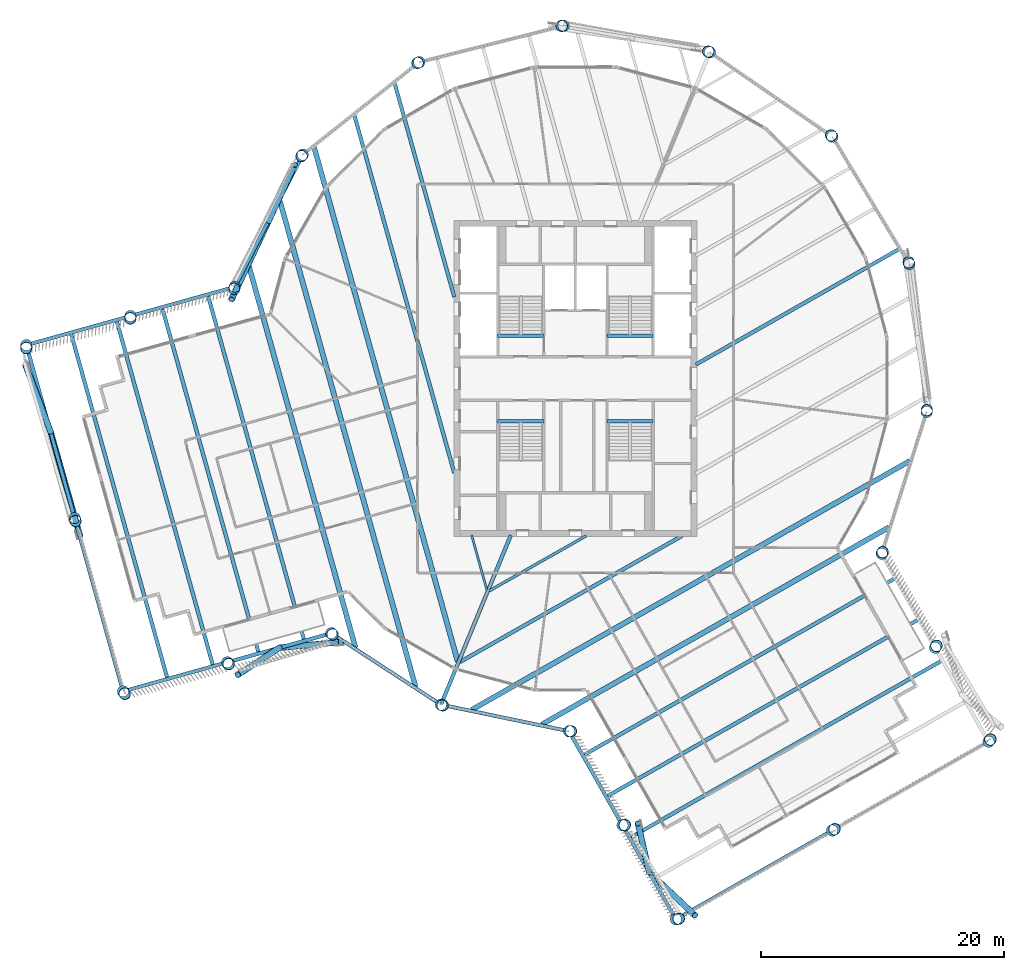
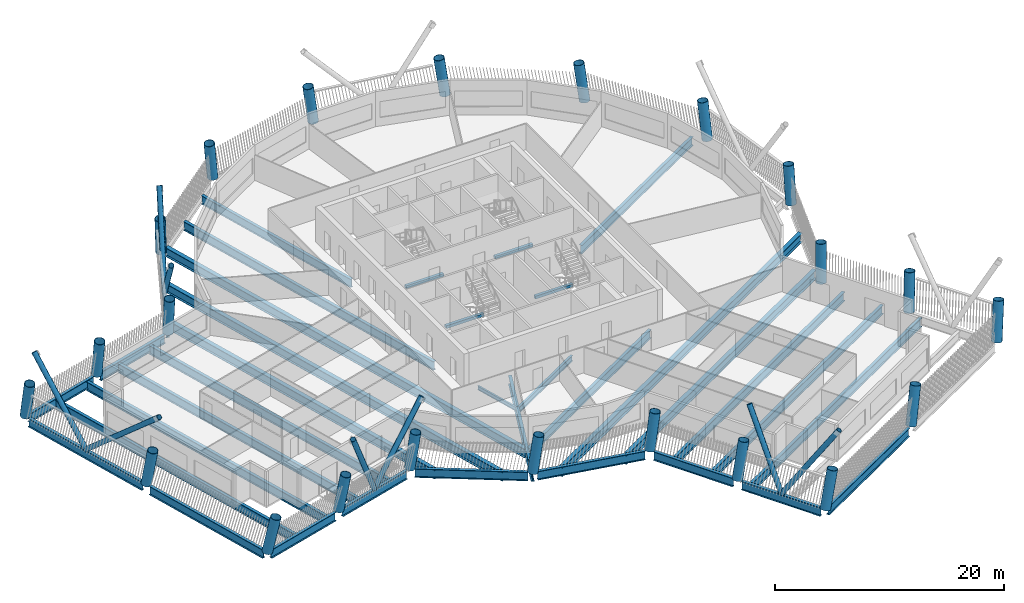
# One storey, part 1 of 21: 35 beams, 22 columns, 8 members.
"""IFC4 building model written with IfcOpenShell, lengths in metres."""

from ifc_helpers import new_model, si_unit, direction, frame, origin, origin_2d, place, context, subcontext, project, spatial, rectangle, hollow_circle, i_section, extrude, material, material_profile, profile_set, type_object, element, save


model = new_model("IFC4")

# Units and contexts
model_context = context("Model", 3, precision=1e-05, world=origin(), true_north=direction((0.0, 1.0)))
body_context = subcontext(model_context, "Body", "Model", "MODEL_VIEW")
ifc_project = project(units=[si_unit("LENGTHUNIT", "METRE"), si_unit("AREAUNIT", "SQUARE_METRE"), si_unit("VOLUMEUNIT", "CUBIC_METRE"), si_unit("PLANEANGLEUNIT", "RADIAN"), si_unit("MASSUNIT", "GRAM", prefix="KILO")], contexts=[model_context])

# Site, building, storey
site_placement = place(None, origin())
site = spatial("IfcSite", under=ifc_project, at=site_placement, CompositionType="ELEMENT")
building_placement = place(site_placement, origin())
building = spatial("IfcBuilding", under=site, at=building_placement, Name="Tarsis Ring Headquarters", CompositionType="ELEMENT")
storey_placement = place(building_placement, frame((0.0, 0.0, 347.0)))
storey = spatial("IfcBuildingStorey", under=building, at=storey_placement, Name="L82", CompositionType="ELEMENT", Elevation=347.0)

# Columns
ifc_material_1 = material(Name="Structural steel S355", Category="steel")
ifc_material_profile_1 = material_profile(ifc_material_1, hollow_circle(Radius=0.482666015625, WallThickness=0.0400390625, at=origin_2d()), Name="CHS 965x40")
ifc_profile_set_1 = profile_set([ifc_material_profile_1], Name="Structural steel S355")
column_type = type_object("IfcColumnType", Name="XC Exo column CHS 965x40", PredefinedType="COLUMN", material=ifc_profile_set_1)
for number, where, z_axis, x_axis, name in (
    (1, (-11.0693359375, -26.856689453125, 0.001220703125), (0.124330518781, -0.049968081687, 0.990981893332), (0.372907688572, 0.927868447466, 0.0), "Exo column XC7 F1"),
    (2, (-0.52197265625, -29.043701171875, 0.001220703125), (0.133952391223, -0.001241449409, 0.990986990676), (0.009267442598, 0.999957056332, 0.0), "Exo column XC7 AK"),
):
    element("IfcColumn", number, at=place(storey_placement, frame(where, z_axis=z_axis, x_axis=x_axis)), inside=storey, type_object=column_type, Name=name, PredefinedType="COLUMN", context=body_context, shape_type="SweptSolid", body=[
        extrude(hollow_circle(Radius=0.482666015625, WallThickness=0.0400390625, at=origin_2d()), origin(), (0.0, 0.0, 1.0), 3.93310546875),
    ])
column_1_placement = place(storey_placement, frame((3.875244140625, -36.7841796875, 0.001220703125), z_axis=(0.16853151015, 0.019260744017, 0.985508068879), x_axis=(-0.113546591161, 0.993532672656, 0.0)))
element("IfcColumn", 3, at=column_1_placement, inside=storey, type_object=column_type, Name="Exo column XC7 AI1", PredefinedType="COLUMN", context=body_context, shape_type="SweptSolid", body=[
    extrude(hollow_circle(Radius=0.482666015625, WallThickness=0.0400390625, at=origin_2d()), origin(), (0.0, 0.0, 1.0), 3.954833984375),
])
column_2_placement = place(storey_placement, frame((8.2724609375, -44.524658203125, 0.00146484375), z_axis=(0.202418787158, 0.039539708576, 0.978500508968), x_axis=(-0.191712880044, 0.981451054116, 0.0)))
element("IfcColumn", 4, at=column_2_placement, inside=storey, type_object=column_type, Name="Exo column XC7 AT1", PredefinedType="COLUMN", context=body_context, shape_type="SweptSolid", body=[
    extrude(hollow_circle(Radius=0.482666015625, WallThickness=0.0400390625, at=origin_2d()), origin(), (0.0, 0.0, 1.0), 3.982666015625),
])
column_3_placement = place(storey_placement, frame((21.140869140625, -37.21435546875, 0.00146484375), z_axis=(0.16902427018, 0.098059881937, 0.980721701424), x_axis=(-0.501816902032, 0.864973870608, 0.0)))
element("IfcColumn", 5, at=column_3_placement, inside=storey, type_object=column_type, Name="Exo column XC7 AT2", PredefinedType="COLUMN", context=body_context, shape_type="SweptSolid", body=[
    extrude(hollow_circle(Radius=0.482666015625, WallThickness=0.0400390625, at=origin_2d()), origin(), (0.0, 0.0, 1.0), 3.9736328125),
])
column_4_placement = place(storey_placement, frame((34.009521484375, -29.90380859375, 0.00146484375), z_axis=(0.134741725116, 0.156136111861, 0.978502009239), x_axis=(-0.757070243201, 0.653333488243, 0.0)))
element("IfcColumn", 6, at=column_4_placement, inside=storey, type_object=column_type, Name="Exo column XC7 AT3", PredefinedType="COLUMN", context=body_context, shape_type="SweptSolid", body=[
    extrude(hollow_circle(Radius=0.482666015625, WallThickness=0.0400390625, at=origin_2d()), origin(), (0.0, 0.0, 1.0), 3.982666015625),
])
column_5_placement = place(storey_placement, frame((29.6123046875, -22.163330078125, 0.001220703125), z_axis=(0.100378135595, 0.136738973151, 0.985508337416), x_axis=(-0.80611564483, 0.591758030922, 0.0)))
element("IfcColumn", 7, at=column_5_placement, inside=storey, type_object=column_type, Name="Exo column XC7 AO1", PredefinedType="COLUMN", context=body_context, shape_type="SweptSolid", body=[
    extrude(hollow_circle(Radius=0.482666015625, WallThickness=0.0400390625, at=origin_2d()), origin(), (0.0, 0.0, 1.0), 3.954833984375),
])
for number, where, z_axis, x_axis, name in (
    (8, (25.21484375, -14.423095703125, 0.001220703125), (0.065485810773, 0.116943381513, 0.990977221791), (-0.872513913094, 0.488589266621, 0.0), "Exo column XC7 AJ"),
    (9, (28.918212890625, -2.747314453125, 0.001220703125), (0.011483421169, 0.133455975748, 0.990988210614), (-0.996318430115, 0.085729725382, 0.0), "Exo column XC7 R1"),
    (10, (27.479736328125, 9.416748046875, 0.001220703125), (-0.044568086585, 0.126317627019, 0.990988164794), (-0.943024549107, -0.332723157867, 0.0), "Exo column XC7 R2"),
    (11, (21.1552734375, 19.906494140625, 0.001220703125), (-0.092674368165, 0.096709086136, 0.990988806266), (-0.722007496504, -0.691885232529, 0.0), "Exo column XC7 R3"),
    (12, (11.0693359375, 26.856689453125, 0.001220703125), (-0.124330518781, 0.049968081687, 0.990981893332), (-0.372907688572, -0.927868447466, 0.0), "Exo column XC7 R4"),
    (13, (-0.98486328125, 29.03173828125, 0.001220703125), (-0.133828391693, -0.005710673486, 0.990988067428), (0.042632817415, -0.999090808125, 0.0), "Exo column XC7 R5"),
    (14, (-12.86376953125, 26.044921875, 0.001220703125), (-0.119613029763, -0.06039620029, 0.990981847514), (0.45073074117, -0.892659957075, 0.0), "Exo column XC7 R6"),
    (15, (-22.455810546875, 18.427001953125, 0.001220703125), (-0.084045847626, -0.104343478478, 0.990983720349), (0.778785343111, -0.62729051432, 0.0), "Exo column XC7 R7"),
    (16, (-28.0546875, 7.532958984375, 0.001220703125), (-0.033580985454, -0.12973060924, 0.990980467235), (0.968092683033, -0.250592412211, 0.0), "Exo column XC7 BJ"),
):
    element("IfcColumn", number, at=place(storey_placement, frame(where, z_axis=z_axis, x_axis=x_axis)), inside=storey, type_object=column_type, Name=name, PredefinedType="COLUMN", context=body_context, shape_type="SweptSolid", body=[
        extrude(hollow_circle(Radius=0.482666015625, WallThickness=0.0400390625, at=origin_2d()), origin(), (0.0, 0.0, 1.0), 3.93310546875),
    ])
column_6_placement = place(storey_placement, frame((-36.629150390625, 5.138916015625, 0.001220703125), z_axis=(-0.022038617099, -0.16822193724, 0.985502754531), x_axis=(0.99152720989, -0.129899161075, 0.0)))
element("IfcColumn", 17, at=column_6_placement, inside=storey, type_object=column_type, Name="Exo column XC7 BO1", PredefinedType="COLUMN", context=body_context, shape_type="SweptSolid", body=[
    extrude(hollow_circle(Radius=0.482666015625, WallThickness=0.0400390625, at=origin_2d()), origin(), (0.0, 0.0, 1.0), 3.954833984375),
])
column_7_placement = place(storey_placement, frame((-45.203369140625, 2.74462890625, 0.00146484375), z_axis=(-0.010666647731, -0.205915343273, 0.978511672915), x_axis=(0.998661015527, -0.051731770379, 0.0)))
element("IfcColumn", 18, at=column_7_placement, inside=storey, type_object=column_type, Name="Exo column XC7 BT3", PredefinedType="COLUMN", context=body_context, shape_type="SweptSolid", body=[
    extrude(hollow_circle(Radius=0.482666015625, WallThickness=0.0400390625, at=origin_2d()), origin(), (0.0, 0.0, 1.0), 3.982666015625),
])
column_8_placement = place(storey_placement, frame((-41.223388671875, -11.510009765625, 0.00146484375), z_axis=(0.054252684728, -0.18770322972, 0.980726334791), x_axis=(0.960676909032, 0.277668645066, 0.0)))
element("IfcColumn", 19, at=column_8_placement, inside=storey, type_object=column_type, Name="Exo column XC7 BT2", PredefinedType="COLUMN", context=body_context, shape_type="SweptSolid", body=[
    extrude(hollow_circle(Radius=0.482666015625, WallThickness=0.0400390625, at=origin_2d()), origin(), (0.0, 0.0, 1.0), 3.9736328125),
])
column_9_placement = place(storey_placement, frame((-37.2431640625, -25.764892578125, 0.00146484375), z_axis=(0.118864893143, -0.168519644791, 0.978505118279), x_axis=(0.817173766493, 0.576391390771, 0.0)))
element("IfcColumn", 20, at=column_9_placement, inside=storey, type_object=column_type, Name="Exo column XC7 BT1", PredefinedType="COLUMN", context=body_context, shape_type="SweptSolid", body=[
    extrude(hollow_circle(Radius=0.482666015625, WallThickness=0.0400390625, at=origin_2d()), origin(), (0.0, 0.0, 1.0), 3.982666015625),
])
column_10_placement = place(storey_placement, frame((-28.6689453125, -23.370849609375, 0.001220703125), z_axis=(0.10840294564, -0.130503318385, 0.985503772325), x_axis=(0.769234397145, 0.638966698858, 0.0)))
element("IfcColumn", 21, at=column_10_placement, inside=storey, type_object=column_type, Name="Exo column XC7 BI1", PredefinedType="COLUMN", context=body_context, shape_type="SweptSolid", body=[
    extrude(hollow_circle(Radius=0.482666015625, WallThickness=0.0400390625, at=origin_2d()), origin(), (0.0, 0.0, 1.0), 3.954833984375),
])
column_11_placement = place(storey_placement, frame((-20.0947265625, -20.976806640625, 0.001220703125), z_axis=(0.097639723452, -0.091742855221, 0.990984224355), x_axis=(0.684757495338, 0.728771001466, 0.0)))
element("IfcColumn", 22, at=column_11_placement, inside=storey, type_object=column_type, Name="Exo column XC7 BK", PredefinedType="COLUMN", context=body_context, shape_type="SweptSolid", body=[
    extrude(hollow_circle(Radius=0.482666015625, WallThickness=0.0400390625, at=origin_2d()), origin(), (0.0, 0.0, 1.0), 3.93310546875),
])

# Beams
ifc_material_profile_2 = material_profile(ifc_material_1, i_section(OverallWidth=0.177734375, OverallDepth=0.406494140625, WebThickness=0.0078125, FlangeThickness=0.0126953125, at=origin_2d()), Name="W16x40")
ifc_profile_set_2 = profile_set([ifc_material_profile_2], Name="Structural steel S355")
beam_type_1 = type_object("IfcBeamType", Name="FB Floor beam W16x40", PredefinedType="JOIST", material=ifc_profile_set_2)
beam_1_placement = place(storey_placement, frame((-8.544677734375, -12.903564453125, -0.36328125), z_axis=(0.268896613501, -0.963169046039, 0.0), x_axis=(0.963169046039, 0.268896613501, 0.0)))
element("IfcBeam", 23, at=beam_1_placement, inside=storey, type_object=beam_type_1, Name="Floor beam FB1", PredefinedType="JOIST", context=body_context, shape_type="SweptSolid", body=[
    extrude(i_section(OverallWidth=0.177734375, OverallDepth=0.406494140625, WebThickness=0.0078125, FlangeThickness=0.0126953125, at=origin_2d()), origin(), (0.0, 0.0, 1.0), 4.693115234375),
])
ifc_material_profile_3 = material_profile(ifc_material_1, i_section(OverallWidth=0.228271484375, OverallDepth=0.607177734375, WebThickness=0.01123046875, FlangeThickness=0.017333984375, at=origin_2d()), Name="W24x76")
ifc_profile_set_3 = profile_set([ifc_material_profile_3], Name="Structural steel S355")
beam_type_2 = type_object("IfcBeamType", Name="FB Floor beam W24x76", PredefinedType="JOIST", material=ifc_profile_set_3)
beam_2_placement = place(storey_placement, frame((-7.10986328125, -17.4951171875, -0.463623046875), z_axis=(0.869497741292, 0.493936916911, 0.0), x_axis=(-0.493936916911, 0.869497741292, 0.0)))
element("IfcBeam", 24, at=beam_2_placement, inside=storey, type_object=beam_type_2, Name="Floor beam FB4", PredefinedType="JOIST", context=body_context, shape_type="SweptSolid", body=[
    extrude(i_section(OverallWidth=0.228271484375, OverallDepth=0.607177734375, WebThickness=0.01123046875, FlangeThickness=0.017333984375, at=origin_2d()), origin(), (0.0, 0.0, 1.0), 9.200439453125),
])
ifc_material_profile_4 = material_profile(ifc_material_1, i_section(OverallWidth=0.3046875, OverallDepth=0.904296875, WebThickness=0.01513671875, FlangeThickness=0.02001953125, at=origin_2d()), Name="W36x135")
ifc_profile_set_4 = profile_set([ifc_material_profile_4], Name="Structural steel S355")
beam_type_3 = type_object("IfcBeamType", Name="FB Floor beam W36x135", PredefinedType="JOIST", material=ifc_profile_set_4)
beam_3_placement = place(storey_placement, frame((9.9130859375, 1.14599609375, -0.612060546875), z_axis=(0.869490450146, 0.493949751599, 0.0), x_axis=(-0.493949751599, 0.869490450146, 0.0)))
element("IfcBeam", 25, at=beam_3_placement, inside=storey, type_object=beam_type_3, Name="Floor beam FB8", PredefinedType="JOIST", context=body_context, shape_type="SweptSolid", body=[
    extrude(i_section(OverallWidth=0.3046875, OverallDepth=0.904296875, WebThickness=0.01513671875, FlangeThickness=0.02001953125, at=origin_2d()), origin(), (0.0, 0.0, 1.0), 19.265869140625),
])
beam_4_placement = place(storey_placement, frame((-9.52392578125, -23.351806640625, -0.612060546875), z_axis=(0.869495375065, 0.493941082257, 0.0), x_axis=(-0.493941082257, 0.869495375065, 0.0)))
element("IfcBeam", 26, at=beam_4_placement, inside=storey, type_object=beam_type_3, Name="Floor beam FB8", PredefinedType="JOIST", context=body_context, shape_type="SweptSolid", body=[
    extrude(i_section(OverallWidth=0.3046875, OverallDepth=0.904296875, WebThickness=0.01513671875, FlangeThickness=0.02001953125, at=origin_2d()), origin(), (0.0, 0.0, 1.0), 21.057373046875),
])
beam_5_placement = place(storey_placement, frame((-14.89697265625, 24.35009765625, -0.612060546875), z_axis=(0.268918643255, -0.963162895522, 0.0), x_axis=(0.963162895522, 0.268918643255, 0.0)))
element("IfcBeam", 27, at=beam_5_placement, inside=storey, type_object=beam_type_3, Name="Floor beam FB8", PredefinedType="JOIST", context=body_context, shape_type="SweptSolid", body=[
    extrude(i_section(OverallWidth=0.3046875, OverallDepth=0.904296875, WebThickness=0.01513671875, FlangeThickness=0.02001953125, at=origin_2d()), origin(), (0.0, 0.0, 1.0), 18.309814453125),
])
ifc_material_profile_5 = material_profile(ifc_material_1, i_section(OverallWidth=0.309814453125, OverallDepth=0.949951171875, WebThickness=0.0244140625, FlangeThickness=0.0439453125, at=origin_2d()), Name="W36x256")
ifc_profile_set_5 = profile_set([ifc_material_profile_5], Name="Structural steel S355")
beam_type_4 = type_object("IfcBeamType", Name="FB Floor beam W36x256", PredefinedType="JOIST", material=ifc_profile_set_5)
beam_6_placement = place(storey_placement, frame((0.663818359375, -31.0205078125, -0.635009765625), z_axis=(0.869495669198, 0.493940564488, 0.0), x_axis=(-0.493940564488, 0.869495669198, 0.0)))
element("IfcBeam", 28, at=beam_6_placement, inside=storey, type_object=beam_type_4, Name="Floor beam FB11", PredefinedType="JOIST", context=body_context, shape_type="SweptSolid", body=[
    extrude(i_section(OverallWidth=0.309814453125, OverallDepth=0.949951171875, WebThickness=0.0244140625, FlangeThickness=0.0439453125, at=origin_2d()), origin(), (0.0, 0.0, 1.0), 29.490234375),
])
beam_7_placement = place(storey_placement, frame((2.59033203125, -34.411376953125, -0.635009765625), z_axis=(0.86949364936, 0.49394412004, 0.0), x_axis=(-0.49394412004, 0.86949364936, 0.0)))
element("IfcBeam", 29, at=beam_7_placement, inside=storey, type_object=beam_type_4, Name="Floor beam FB11", PredefinedType="JOIST", context=body_context, shape_type="SweptSolid", body=[
    extrude(i_section(OverallWidth=0.309814453125, OverallDepth=0.949951171875, WebThickness=0.0244140625, FlangeThickness=0.0439453125, at=origin_2d()), origin(), (0.0, 0.0, 1.0), 29.489990234375),
])
beam_8_placement = place(storey_placement, frame((4.5166015625, -37.802490234375, -0.635009765625), z_axis=(0.869495669198, 0.493940564488, 0.0), x_axis=(-0.493940564488, 0.869495669198, 0.0)))
element("IfcBeam", 30, at=beam_8_placement, inside=storey, type_object=beam_type_4, Name="Floor beam FB11", PredefinedType="JOIST", context=body_context, shape_type="SweptSolid", body=[
    extrude(i_section(OverallWidth=0.309814453125, OverallDepth=0.949951171875, WebThickness=0.0244140625, FlangeThickness=0.0439453125, at=origin_2d()), origin(), (0.0, 0.0, 1.0), 29.490234375),
])
beam_9_placement = place(storey_placement, frame((-18.211181640625, 21.7177734375, -0.635009765625), z_axis=(0.268917437762, -0.963163232099, 0.0), x_axis=(0.963163232099, 0.268917437762, 0.0)))
element("IfcBeam", 31, at=beam_9_placement, inside=storey, type_object=beam_type_4, Name="Floor beam FB11", PredefinedType="JOIST", context=body_context, shape_type="SweptSolid", body=[
    extrude(i_section(OverallWidth=0.309814453125, OverallDepth=0.949951171875, WebThickness=0.0244140625, FlangeThickness=0.0439453125, at=origin_2d()), origin(), (0.0, 0.0, 1.0), 30.634033203125),
])
for number, where, z_axis, x_axis, name in (
    (32, (-30.259521484375, 6.8603515625, -0.635009765625), (0.268917746539, -0.963163145888, 0.0), (0.963163145888, 0.268917746539, 0.0), "Floor beam FB11"),
    (33, (-34.015869140625, 5.8115234375, -0.635009765625), (0.268917746539, -0.963163145888, 0.0), (0.963163145888, 0.268917746539, 0.0), "Floor beam FB11"),
):
    element("IfcBeam", number, at=place(storey_placement, frame(where, z_axis=z_axis, x_axis=x_axis)), inside=storey, type_object=beam_type_4, Name=name, PredefinedType="JOIST", context=body_context, shape_type="SweptSolid", body=[
        extrude(i_section(OverallWidth=0.309814453125, OverallDepth=0.949951171875, WebThickness=0.0244140625, FlangeThickness=0.0439453125, at=origin_2d()), origin(), (0.0, 0.0, 1.0), 29.490234375),
    ])
beam_10_placement = place(storey_placement, frame((-37.772216796875, 4.7626953125, -0.635009765625), z_axis=(0.268919890841, -0.96316254719, 0.0), x_axis=(0.96316254719, 0.268919890841, 0.0)))
element("IfcBeam", 34, at=beam_10_placement, inside=storey, type_object=beam_type_4, Name="Floor beam FB11", PredefinedType="JOIST", context=body_context, shape_type="SweptSolid", body=[
    extrude(i_section(OverallWidth=0.309814453125, OverallDepth=0.949951171875, WebThickness=0.0244140625, FlangeThickness=0.0439453125, at=origin_2d()), origin(), (0.0, 0.0, 1.0), 29.489990234375),
])
beam_11_placement = place(storey_placement, frame((-41.528564453125, 3.714111328125, -0.635009765625), z_axis=(0.268917746539, -0.963163145888, 0.0), x_axis=(0.963163145888, 0.268917746539, 0.0)))
element("IfcBeam", 35, at=beam_11_placement, inside=storey, type_object=beam_type_4, Name="Floor beam FB11", PredefinedType="JOIST", context=body_context, shape_type="SweptSolid", body=[
    extrude(i_section(OverallWidth=0.309814453125, OverallDepth=0.949951171875, WebThickness=0.0244140625, FlangeThickness=0.0439453125, at=origin_2d()), origin(), (0.0, 0.0, 1.0), 29.490234375),
])
beam_type_5 = type_object("IfcBeamType", Name="FB Floor beam W36x256 spine", PredefinedType="BEAM", material=ifc_profile_set_5)
beam_12_placement = place(storey_placement, frame((-5.320068359375, -12.907470703125, -0.635009765625), z_axis=(-0.3810716719, -0.924545499624, 0.0), x_axis=(0.924545499624, -0.3810716719, 0.0)))
element("IfcBeam", 36, at=beam_12_placement, inside=storey, type_object=beam_type_5, Name="Floor beam SB11", PredefinedType="BEAM", context=body_context, shape_type="SweptSolid", body=[
    extrude(i_section(OverallWidth=0.309814453125, OverallDepth=0.949951171875, WebThickness=0.0244140625, FlangeThickness=0.0439453125, at=origin_2d()), origin(), (0.0, 0.0, 1.0), 15.030029296875),
])
ifc_material_profile_6 = material_profile(ifc_material_1, i_section(OverallWidth=0.42431640625, OverallDepth=0.947509765625, WebThickness=0.02392578125, FlangeThickness=0.042724609375, at=origin_2d()), Name="W36x302")
ifc_profile_set_6 = profile_set([ifc_material_profile_6], Name="Structural steel S355")
beam_type_6 = type_object("IfcBeamType", Name="FB Floor beam W36x302", PredefinedType="JOIST", material=ifc_profile_set_6)
beam_13_placement = place(storey_placement, frame((-8.5556640625, -27.287109375, -0.6337890625), z_axis=(0.86949443571, 0.49394273582, 0.0), x_axis=(-0.49394273582, 0.86949443571, 0.0)))
element("IfcBeam", 37, at=beam_13_placement, inside=storey, type_object=beam_type_6, Name="Floor beam FB12", PredefinedType="JOIST", context=body_context, shape_type="SweptSolid", body=[
    extrude(i_section(OverallWidth=0.42431640625, OverallDepth=0.947509765625, WebThickness=0.02392578125, FlangeThickness=0.042724609375, at=origin_2d()), origin(), (0.0, 0.0, 1.0), 41.5234375),
])
beam_14_placement = place(storey_placement, frame((-2.771484375, -28.486572265625, -0.6337890625), z_axis=(0.869494831423, 0.49394203924, 0.0), x_axis=(-0.49394203924, 0.869494831423, 0.0)))
element("IfcBeam", 38, at=beam_14_placement, inside=storey, type_object=beam_type_6, Name="Floor beam FB12", PredefinedType="JOIST", context=body_context, shape_type="SweptSolid", body=[
    extrude(i_section(OverallWidth=0.42431640625, OverallDepth=0.947509765625, WebThickness=0.02392578125, FlangeThickness=0.042724609375, at=origin_2d()), origin(), (0.0, 0.0, 1.0), 32.875244140625),
])
beam_15_placement = place(storey_placement, frame((-21.525390625, 19.085693359375, -0.6337890625), z_axis=(0.268919795024, -0.963162573943, 0.0), x_axis=(0.963162573943, 0.268919795024, 0.0)))
element("IfcBeam", 39, at=beam_15_placement, inside=storey, type_object=beam_type_6, Name="Floor beam FB12", PredefinedType="JOIST", context=body_context, shape_type="SweptSolid", body=[
    extrude(i_section(OverallWidth=0.42431640625, OverallDepth=0.947509765625, WebThickness=0.02392578125, FlangeThickness=0.042724609375, at=origin_2d()), origin(), (0.0, 0.0, 1.0), 43.986572265625),
])
beam_16_placement = place(storey_placement, frame((-24.322998046875, 14.603271484375, -0.6337890625), z_axis=(0.268918462334, -0.963162946035, 0.0), x_axis=(0.963162946035, 0.268918462334, 0.0)))
element("IfcBeam", 40, at=beam_16_placement, inside=storey, type_object=beam_type_6, Name="Floor beam FB12", PredefinedType="JOIST", context=body_context, shape_type="SweptSolid", body=[
    extrude(i_section(OverallWidth=0.42431640625, OverallDepth=0.947509765625, WebThickness=0.02392578125, FlangeThickness=0.042724609375, at=origin_2d()), origin(), (0.0, 0.0, 1.0), 41.523681640625),
])
beam_17_placement = place(storey_placement, frame((-26.947021484375, 9.498291015625, -0.6337890625), z_axis=(0.268926344256, -0.963160745341, 0.0), x_axis=(0.963160745341, 0.268926344256, 0.0)))
element("IfcBeam", 41, at=beam_17_placement, inside=storey, type_object=beam_type_6, Name="Floor beam FB12", PredefinedType="JOIST", context=body_context, shape_type="SweptSolid", body=[
    extrude(i_section(OverallWidth=0.42431640625, OverallDepth=0.947509765625, WebThickness=0.02392578125, FlangeThickness=0.042724609375, at=origin_2d()), origin(), (0.0, 0.0, 1.0), 32.87548828125),
])
ifc_material_2 = material(Name="Concrete C40/50", Category="concrete")
ifc_material_profile_7 = material_profile(ifc_material_2, rectangle(XDim=0.300048828125, YDim=0.300048828125, at=origin_2d()), Name="Stair head beam 300x300 C40/50")
ifc_profile_set_7 = profile_set([ifc_material_profile_7], Name="Concrete C40/50")
beam_type_7 = type_object("IfcBeamType", Name="Stair head beam 300x300 C40/50", PredefinedType="BEAM", material=ifc_profile_set_7)
for number, where, z_axis, x_axis, name in (
    (42, (-6.39990234375, 3.510009765625, -0.31005859375), (1.0, 0.0, 0.0), (0.0, 1.0, 0.0), "Stair head beam L82 Firefighting stair"),
    (43, (2.60009765625, 3.510009765625, -0.31005859375), (1.0, 0.0, 0.0), (0.0, 1.0, 0.0), "Stair head beam L82 Exit stair B"),
    (44, (-6.39990234375, -3.510009765625, -0.31005859375), (1.0, 0.0, 0.0), (0.0, 1.0, 0.0), "Stair head beam L82 Exit stair C"),
    (45, (2.60009765625, -3.510009765625, -0.31005859375), (1.0, 0.0, 0.0), (0.0, 1.0, 0.0), "Stair head beam L82 Exit stair D"),
):
    element("IfcBeam", number, at=place(storey_placement, frame(where, z_axis=z_axis, x_axis=x_axis)), inside=storey, type_object=beam_type_7, Name=name, PredefinedType="BEAM", context=body_context, shape_type="SweptSolid", body=[
        extrude(rectangle(XDim=0.300048828125, YDim=0.300048828125, at=origin_2d()), origin(), (0.0, 0.0, 1.0), 3.7998046875),
    ])

# Members
ifc_material_profile_8 = material_profile(ifc_material_1, hollow_circle(Radius=0.25390625, WallThickness=0.02001953125, at=origin_2d()), Name="CHS 508x20")
ifc_profile_set_8 = profile_set([ifc_material_profile_8], Name="Structural steel S355")
member_type = type_object("IfcMemberType", Name="XD X brace CHS 508x20", PredefinedType="BRACE", material=ifc_profile_set_8)
member_1_placement = place(storey_placement, frame((6.073486328125, -40.654541015625, 0.0), z_axis=(0.409359343415, -0.384989562391, 0.827168643511), x_axis=(0.685091168779, 0.728457336061, 0.0)))
element("IfcMember", 46, at=member_1_placement, inside=storey, type_object=member_type, Name="X brace XD2", PredefinedType="BRACE", context=body_context, shape_type="SweptSolid", body=[
    extrude(hollow_circle(Radius=0.25390625, WallThickness=0.02001953125, at=origin_2d()), origin(), (0.0, 0.0, 1.0), 9.216796875),
])
member_2_placement = place(storey_placement, frame((6.073486328125, -40.654541015625, 0.0), z_axis=(-0.107869405702, 0.471549935155, 0.875217030209), x_axis=(-0.974819619826, -0.222994862724, 0.0)))
element("IfcMember", 47, at=member_2_placement, inside=storey, type_object=member_type, Name="X brace XD2", PredefinedType="BRACE", context=body_context, shape_type="SweptSolid", body=[
    extrude(hollow_circle(Radius=0.25390625, WallThickness=0.02001953125, at=origin_2d()), origin(), (0.0, 0.0, 1.0), 8.541748046875),
])
member_3_placement = place(storey_placement, frame((-25.255126953125, 12.980224609375, 0.0), z_axis=(-0.288569816694, -0.611299324741, 0.736912882547), x_axis=(0.904305363365, -0.426886178963, 0.0)))
element("IfcMember", 48, at=member_3_placement, inside=storey, type_object=member_type, Name="X brace XD2", PredefinedType="BRACE", context=body_context, shape_type="SweptSolid", body=[
    extrude(hollow_circle(Radius=0.25390625, WallThickness=0.02001953125, at=origin_2d()), origin(), (0.0, 0.0, 1.0), 10.584716796875),
])
member_4_placement = place(storey_placement, frame((-25.255126953125, 12.980224609375, 0.0), z_axis=(0.230304424032, 0.495909264447, 0.837277656281), x_axis=(-0.906966465467, 0.421202837738, 0.0)))
element("IfcMember", 49, at=member_4_placement, inside=storey, type_object=member_type, Name="X brace XD2", PredefinedType="BRACE", context=body_context, shape_type="SweptSolid", body=[
    extrude(hollow_circle(Radius=0.25390625, WallThickness=0.02001953125, at=origin_2d()), origin(), (0.0, 0.0, 1.0), 9.31591796875),
])
member_5_placement = place(storey_placement, frame((-43.21337890625, -4.38232421875, 0.0), z_axis=(0.205045482492, -0.72558509201, 0.656873370112), x_axis=(0.962313281383, 0.271943281722, 0.0)))
element("IfcMember", 50, at=member_5_placement, inside=storey, type_object=member_type, Name="X brace XD2", PredefinedType="BRACE", context=body_context, shape_type="SweptSolid", body=[
    extrude(hollow_circle(Radius=0.25390625, WallThickness=0.02001953125, at=origin_2d()), origin(), (0.0, 0.0, 1.0), 11.87451171875),
])
member_6_placement = place(storey_placement, frame((-43.21337890625, -4.38232421875, 0.0), z_axis=(-0.21114664043, 0.562240182991, 0.799564301895), x_axis=(-0.936161248433, -0.351570927314, 0.0)))
element("IfcMember", 51, at=member_6_placement, inside=storey, type_object=member_type, Name="X brace XD2", PredefinedType="BRACE", context=body_context, shape_type="SweptSolid", body=[
    extrude(hollow_circle(Radius=0.25390625, WallThickness=0.02001953125, at=origin_2d()), origin(), (0.0, 0.0, 1.0), 9.75537109375),
])
member_7_placement = place(storey_placement, frame((-24.3818359375, -22.173583984375, 0.0), z_axis=(0.543635204687, 0.051707356564, 0.837727350337), x_axis=(-0.094686733096, 0.995507118295, 0.0)))
element("IfcMember", 52, at=member_7_placement, inside=storey, type_object=member_type, Name="X brace XD2", PredefinedType="BRACE", context=body_context, shape_type="SweptSolid", body=[
    extrude(hollow_circle(Radius=0.25390625, WallThickness=0.02001953125, at=origin_2d()), origin(), (0.0, 0.0, 1.0), 9.31103515625),
])
member_8_placement = place(storey_placement, frame((-24.3818359375, -22.173583984375, 0.0), z_axis=(-0.388564100336, -0.25245987874, 0.886161356389), x_axis=(0.544826334938, -0.838548904213, 0.0)))
element("IfcMember", 53, at=member_8_placement, inside=storey, type_object=member_type, Name="X brace XD2", PredefinedType="BRACE", context=body_context, shape_type="SweptSolid", body=[
    extrude(hollow_circle(Radius=0.25390625, WallThickness=0.02001953125, at=origin_2d()), origin(), (0.0, 0.0, 1.0), 8.802001953125),
])

# Beams
ifc_material_profile_9 = material_profile(ifc_material_1, i_section(OverallWidth=0.309814453125, OverallDepth=0.93212890625, WebThickness=0.02099609375, FlangeThickness=0.034423828125, at=origin_2d()), Name="W36x210")
ifc_profile_set_9 = profile_set([ifc_material_profile_9], Name="Structural steel S355")
beam_type_8 = type_object("IfcBeamType", Name="XG Ring girder W36x210", PredefinedType="BEAM", material=ifc_profile_set_9)
beam_18_placement = place(storey_placement, frame((-10.644287109375, -26.94482421875, -0.466064453125), z_axis=(0.979169918128, -0.203042536021, 0.0), x_axis=(0.203042536021, 0.979169918128, 0.0)))
element("IfcBeam", 54, at=beam_18_placement, inside=storey, type_object=beam_type_8, Name="Ring girder XG3", PredefinedType="BEAM", context=body_context, shape_type="SweptSolid", body=[
    extrude(i_section(OverallWidth=0.309814453125, OverallDepth=0.93212890625, WebThickness=0.02099609375, FlangeThickness=0.034423828125, at=origin_2d()), origin(), (0.0, 0.0, 1.0), 9.903076171875),
])
for number, where, z_axis, x_axis, name in (
    (55, (-0.3076171875, -29.42138671875, -0.466064453125), (0.493934741114, -0.869498977297, 0.0), (0.869498977297, 0.493934741114, 0.0), "Ring girder XG3"),
    (56, (4.089599609375, -37.161865234375, -0.466064453125), (0.493934741114, -0.869498977297, 0.0), (0.869498977297, 0.493934741114, 0.0), "Ring girder XG3"),
):
    element("IfcBeam", number, at=place(storey_placement, frame(where, z_axis=z_axis, x_axis=x_axis)), inside=storey, type_object=beam_type_8, Name=name, PredefinedType="BEAM", context=body_context, shape_type="SweptSolid", body=[
        extrude(i_section(OverallWidth=0.309814453125, OverallDepth=0.93212890625, WebThickness=0.02099609375, FlangeThickness=0.034423828125, at=origin_2d()), origin(), (0.0, 0.0, 1.0), 8.033447265625),
    ])
beam_19_placement = place(storey_placement, frame((8.64990234375, -44.310302734375, -0.466064453125), z_axis=(0.869489230447, 0.493951898607, 0.0), x_axis=(-0.493951898607, 0.869489230447, 0.0)))
element("IfcBeam", 57, at=beam_19_placement, inside=storey, type_object=beam_type_8, Name="Ring girder XG3", PredefinedType="BEAM", context=body_context, shape_type="SweptSolid", body=[
    extrude(i_section(OverallWidth=0.309814453125, OverallDepth=0.93212890625, WebThickness=0.02099609375, FlangeThickness=0.034423828125, at=origin_2d()), origin(), (0.0, 0.0, 1.0), 13.93115234375),
])
beam_20_placement = place(storey_placement, frame((-22.654052734375, 18.041015625, -0.466064453125), z_axis=(-0.45712307955, -0.889403446217, 0.0), x_axis=(0.889403446217, -0.45712307955, 0.0)))
element("IfcBeam", 58, at=beam_20_placement, inside=storey, type_object=beam_type_8, Name="Ring girder XG3", PredefinedType="BEAM", context=body_context, shape_type="SweptSolid", body=[
    extrude(i_section(OverallWidth=0.309814453125, OverallDepth=0.93212890625, WebThickness=0.02099609375, FlangeThickness=0.034423828125, at=origin_2d()), origin(), (0.0, 0.0, 1.0), 11.380126953125),
])
for number, where, z_axis, x_axis, name in (
    (59, (-28.47314453125, 7.416259765625, -0.466064453125), (-0.963161343527, -0.268924201839, 0.0), (0.268924201839, -0.963161343527, 0.0), "Ring girder XG3"),
    (60, (-37.04736328125, 5.022216796875, -0.466064453125), (-0.963161343527, -0.268924201839, 0.0), (0.268924201839, -0.963161343527, 0.0), "Ring girder XG3"),
):
    element("IfcBeam", number, at=place(storey_placement, frame(where, z_axis=z_axis, x_axis=x_axis)), inside=storey, type_object=beam_type_8, Name=name, PredefinedType="BEAM", context=body_context, shape_type="SweptSolid", body=[
        extrude(i_section(OverallWidth=0.309814453125, OverallDepth=0.93212890625, WebThickness=0.02099609375, FlangeThickness=0.034423828125, at=origin_2d()), origin(), (0.0, 0.0, 1.0), 8.033447265625),
    ])
for number, where, z_axis, x_axis, name in (
    (61, (-45.086669921875, 2.32666015625, -0.466064453125), (0.268934326681, -0.963158516513, 0.0), (0.963158516513, 0.268934326681, 0.0), "Ring girder XG3"),
    (62, (-41.1064453125, -11.92822265625, -0.466064453125), (0.268918069335, -0.963163055762, 0.0), (0.963163055762, 0.268918069335, 0.0), "Ring girder XG3"),
):
    element("IfcBeam", number, at=place(storey_placement, frame(where, z_axis=z_axis, x_axis=x_axis)), inside=storey, type_object=beam_type_8, Name=name, PredefinedType="BEAM", context=body_context, shape_type="SweptSolid", body=[
        extrude(i_section(OverallWidth=0.309814453125, OverallDepth=0.93212890625, WebThickness=0.02099609375, FlangeThickness=0.034423828125, at=origin_2d()), origin(), (0.0, 0.0, 1.0), 13.93115234375),
    ])
for number, where, z_axis, x_axis, name in (
    (63, (-36.824951171875, -25.647705078125, -0.466064453125), (0.963161343527, 0.268924201839, 0.0), (-0.268924201839, 0.963161343527, 0.0), "Ring girder XG3"),
    (64, (-28.250732421875, -23.253662109375, -0.466064453125), (0.963169214808, 0.268896008981, 0.0), (-0.268896008981, 0.963169214808, 0.0), "Ring girder XG3"),
):
    element("IfcBeam", number, at=place(storey_placement, frame(where, z_axis=z_axis, x_axis=x_axis)), inside=storey, type_object=beam_type_8, Name=name, PredefinedType="BEAM", context=body_context, shape_type="SweptSolid", body=[
        extrude(i_section(OverallWidth=0.309814453125, OverallDepth=0.93212890625, WebThickness=0.02099609375, FlangeThickness=0.034423828125, at=origin_2d()), origin(), (0.0, 0.0, 1.0), 8.033447265625),
    ])
beam_21_placement = place(storey_placement, frame((-19.730712890625, -21.213623046875, -0.466064453125), z_axis=(0.837856224512, -0.545890966262, 0.0), x_axis=(0.545890966262, 0.837856224512, 0.0)))
element("IfcBeam", 65, at=beam_21_placement, inside=storey, type_object=beam_type_8, Name="Ring girder XG3", PredefinedType="BEAM", context=body_context, shape_type="SweptSolid", body=[
    extrude(i_section(OverallWidth=0.309814453125, OverallDepth=0.93212890625, WebThickness=0.02099609375, FlangeThickness=0.034423828125, at=origin_2d()), origin(), (0.0, 0.0, 1.0), 9.903076171875),
])

save(model, "model.ifc")
